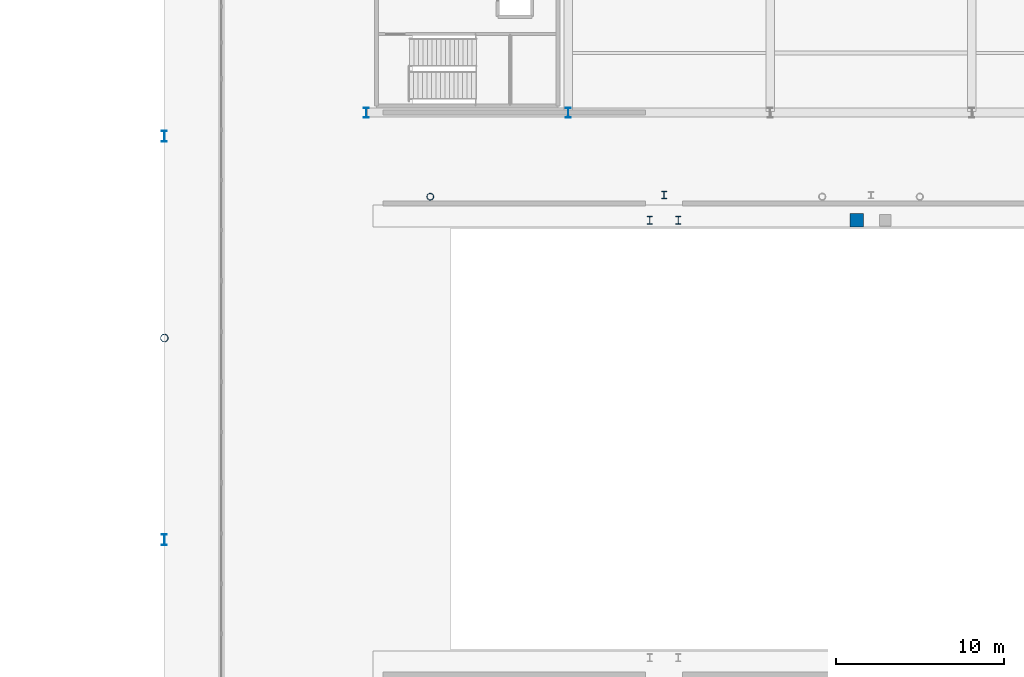
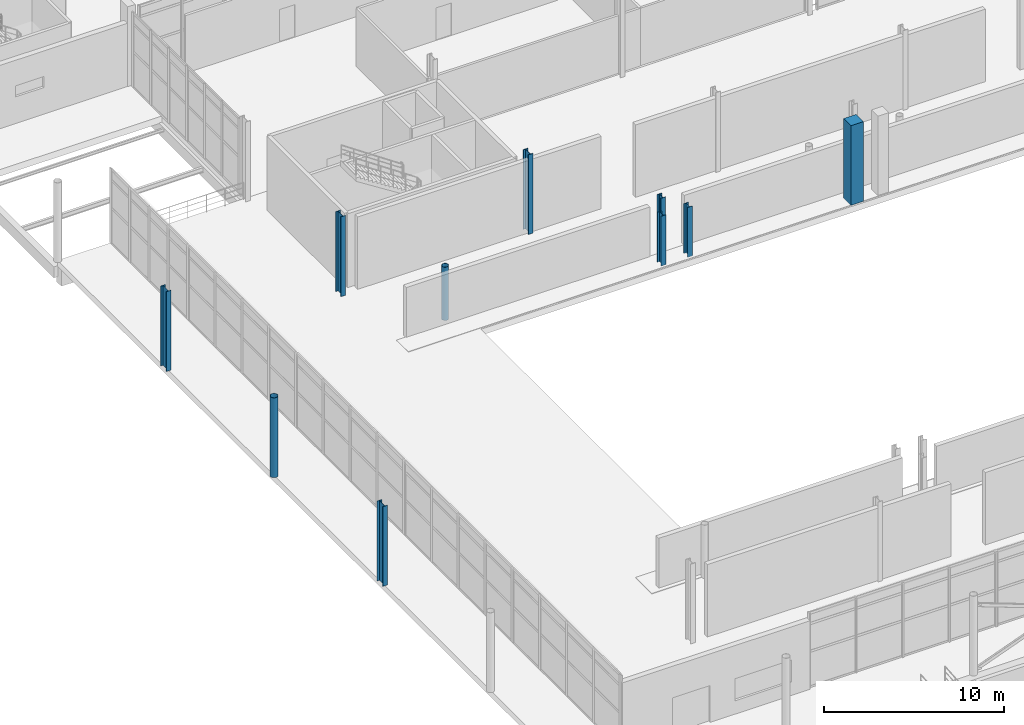
# One storey, part 3 of 85: 10 columns.
"""IFC4 building model written with IfcOpenShell, lengths in metres."""

from ifc_helpers import new_model, si_unit, direction, frame, origin, origin_2d, place, context, subcontext, project, spatial, rectangle, hollow_circle, i_section, extrude, material, material_profile, profile_set, type_object, element, save


model = new_model("IFC4")

# Units and contexts
model_context = context("Model", 3, precision=1e-05, world=origin(), true_north=direction((0.0, 1.0)))
body_context = subcontext(model_context, "Body", "Model", "MODEL_VIEW")
ifc_project = project(units=[si_unit("LENGTHUNIT", "METRE"), si_unit("AREAUNIT", "SQUARE_METRE"), si_unit("VOLUMEUNIT", "CUBIC_METRE"), si_unit("PLANEANGLEUNIT", "RADIAN"), si_unit("MASSUNIT", "GRAM", prefix="KILO"), si_unit("THERMODYNAMICTEMPERATUREUNIT", "KELVIN"), si_unit("POWERUNIT", "WATT")], contexts=[model_context])

# Site, building, storey
site_placement = place(None, origin())
site = spatial("IfcSite", under=ifc_project, at=site_placement, CompositionType="ELEMENT")
building_placement = place(site_placement, origin())
building = spatial("IfcBuilding", under=site, at=building_placement, Name="Solmara Park Aquatics Centre", CompositionType="ELEMENT")
storey_placement = place(building_placement, origin())
storey = spatial("IfcBuildingStorey", under=building, at=storey_placement, Name="L00", CompositionType="ELEMENT", Elevation=0.0)

# Columns
ifc_material_1 = material(Name="Structural Steel S355", Category="steel")
ifc_material_profile_1 = material_profile(ifc_material_1, hollow_circle(Radius=0.203125, WallThickness=0.01611328125, at=origin_2d()), Name="CHS 406.4x16")
ifc_profile_set_1 = profile_set([ifc_material_profile_1], Name="Structural Steel S355")
column_type_1 = type_object("IfcColumnType", Name="STR-COL-CHS406", PredefinedType="COLUMN", material=ifc_profile_set_1)
column_1_placement = place(storey_placement, frame((28.39990234375, 57.0, 0.0), z_axis=(0.0, 0.0, 1.0), x_axis=(1.0, 0.0, 0.0)))
element("IfcColumn", 1, at=column_1_placement, inside=storey, type_object=column_type_1, Name="Upper Stand Front Column L00 N1-1", PredefinedType="COLUMN", context=body_context, shape_type="SweptSolid", body=[
    extrude(hollow_circle(Radius=0.203125, WallThickness=0.01611328125, at=origin_2d()), origin(), (0.0, 0.0, 1.0), 3.60009765625),
])
ifc_material_profile_2 = material_profile(ifc_material_1, hollow_circle(Radius=0.228515625, WallThickness=0.01611328125, at=origin_2d()), Name="CHS 457x16")
ifc_profile_set_2 = profile_set([ifc_material_profile_2], Name="Structural Steel S355")
column_type_2 = type_object("IfcColumnType", Name="STR-COL-CHS457", PredefinedType="COLUMN", material=ifc_profile_set_2)
column_2_placement = place(storey_placement, frame((12.60009765625, 48.60009765625, 0.0), z_axis=(0.0, 0.0, 1.0), x_axis=(1.0, 0.0, 0.0)))
element("IfcColumn", 2, at=column_2_placement, inside=storey, type_object=column_type_2, Name="Column L00-0163", PredefinedType="COLUMN", context=body_context, shape_type="SweptSolid", body=[
    extrude(hollow_circle(Radius=0.228515625, WallThickness=0.01611328125, at=origin_2d()), origin(), (0.0, 0.0, 1.0), 5.39990234375),
])
ifc_material_profile_3 = material_profile(ifc_material_1, i_section(OverallWidth=0.300048828125, OverallDepth=0.449951171875, WebThickness=0.013916015625, FlangeThickness=0.02587890625, FilletRadius=0.027099609375, at=origin_2d()), Name="HEB 450")
ifc_profile_set_3 = profile_set([ifc_material_profile_3], Name="Structural Steel S355")
column_type_3 = type_object("IfcColumnType", Name="STR-COL-HEB450", PredefinedType="COLUMN", material=ifc_profile_set_3)
for number, where, z_axis, x_axis, name in (
    (3, (41.449951171875, 55.60009765625, 0.0), (0.0, 0.0, 1.0), (1.0, 0.0, 0.0), "Vomitory Stair VS-01 Support Column 1"),
    (4, (43.14990234375, 55.60009765625, 0.0), (0.0, 0.0, 1.0), (1.0, 0.0, 0.0), "Vomitory Stair VS-01 Support Column 2"),
    (5, (42.300048828125, 57.10009765625, 0.0), (0.0, 0.0, 1.0), (1.0, 0.0, 0.0), "Vomitory Stair VS-01 Support Column 3"),
):
    element("IfcColumn", number, at=place(storey_placement, frame(where, z_axis=z_axis, x_axis=x_axis)), inside=storey, type_object=column_type_3, Name=name, PredefinedType="COLUMN", context=body_context, shape_type="SweptSolid", body=[
        extrude(i_section(OverallWidth=0.300048828125, OverallDepth=0.449951171875, WebThickness=0.013916015625, FlangeThickness=0.02587890625, FilletRadius=0.027099609375, at=origin_2d()), origin(), (0.0, 0.0, 1.0), 3.3798828125),
    ])
ifc_material_profile_4 = material_profile(ifc_material_1, i_section(OverallWidth=0.300048828125, OverallDepth=0.60009765625, WebThickness=0.015380859375, FlangeThickness=0.030029296875, FilletRadius=0.027099609375, at=origin_2d()), Name="HEB 600")
ifc_profile_set_4 = profile_set([ifc_material_profile_4], Name="Structural Steel S355")
column_type_4 = type_object("IfcColumnType", Name="STR-COL-HEB600", PredefinedType="COLUMN", material=ifc_profile_set_4)
for number, where, z_axis, x_axis, name in (
    (6, (24.60009765625, 62.0, 0.0), (0.0, 0.0, 1.0), (1.0, 0.0, 0.0), "Column L00-0171"),
    (7, (36.60009765625, 62.0, 0.0), (0.0, 0.0, 1.0), (1.0, 0.0, 0.0), "Column L00-0181"),
):
    element("IfcColumn", number, at=place(storey_placement, frame(where, z_axis=z_axis, x_axis=x_axis)), inside=storey, type_object=column_type_4, Name=name, PredefinedType="COLUMN", context=body_context, shape_type="SweptSolid", body=[
        extrude(i_section(OverallWidth=0.300048828125, OverallDepth=0.60009765625, WebThickness=0.015380859375, FlangeThickness=0.030029296875, FilletRadius=0.027099609375, at=origin_2d()), origin(), (0.0, 0.0, 1.0), 5.39990234375),
    ])
ifc_material_profile_5 = material_profile(ifc_material_1, i_section(OverallWidth=0.300048828125, OverallDepth=0.64990234375, WebThickness=0.01611328125, FlangeThickness=0.031005859375, FilletRadius=0.027099609375, at=origin_2d()), Name="HEB 650")
ifc_profile_set_5 = profile_set([ifc_material_profile_5], Name="Structural Steel S355")
column_type_5 = type_object("IfcColumnType", Name="STR-COL-HEB650", PredefinedType="COLUMN", material=ifc_profile_set_5)
for number, where, z_axis, x_axis, name in (
    (8, (12.60009765625, 36.60009765625, 0.0), (0.0, 0.0, 1.0), (1.0, 0.0, 0.0), "Column L00-0162"),
    (9, (12.60009765625, 60.60009765625, 0.0), (0.0, 0.0, 1.0), (1.0, 0.0, 0.0), "Column L00-0164"),
):
    element("IfcColumn", number, at=place(storey_placement, frame(where, z_axis=z_axis, x_axis=x_axis)), inside=storey, type_object=column_type_5, Name=name, PredefinedType="COLUMN", context=body_context, shape_type="SweptSolid", body=[
        extrude(i_section(OverallWidth=0.300048828125, OverallDepth=0.64990234375, WebThickness=0.01611328125, FlangeThickness=0.031005859375, FilletRadius=0.027099609375, at=origin_2d()), origin(), (0.0, 0.0, 1.0), 5.39990234375),
    ])
ifc_material_2 = material(Name="Concrete C40/50", Category="concrete")
ifc_material_profile_6 = material_profile(ifc_material_2, rectangle(XDim=0.800048828125, YDim=0.800048828125, at=origin_2d()), Name="RC 800x800")
ifc_profile_set_6 = profile_set([ifc_material_profile_6], Name="Concrete C40/50")
column_type_6 = type_object("IfcColumnType", Name="STR-COL-RC800", PredefinedType="COLUMN", material=ifc_profile_set_6)
column_3_placement = place(storey_placement, frame((53.75, 55.60009765625, 0.0), z_axis=(0.0, 0.0, 1.0), x_axis=(1.0, 0.0, 0.0)))
element("IfcColumn", 10, at=column_3_placement, inside=storey, type_object=column_type_6, Name="Column L00-0200", PredefinedType="COLUMN", context=body_context, shape_type="SweptSolid", body=[
    extrude(rectangle(XDim=0.800048828125, YDim=0.800048828125, at=origin_2d()), origin(), (0.0, 0.0, 1.0), 5.39990234375),
])

save(model, "model.ifc")
